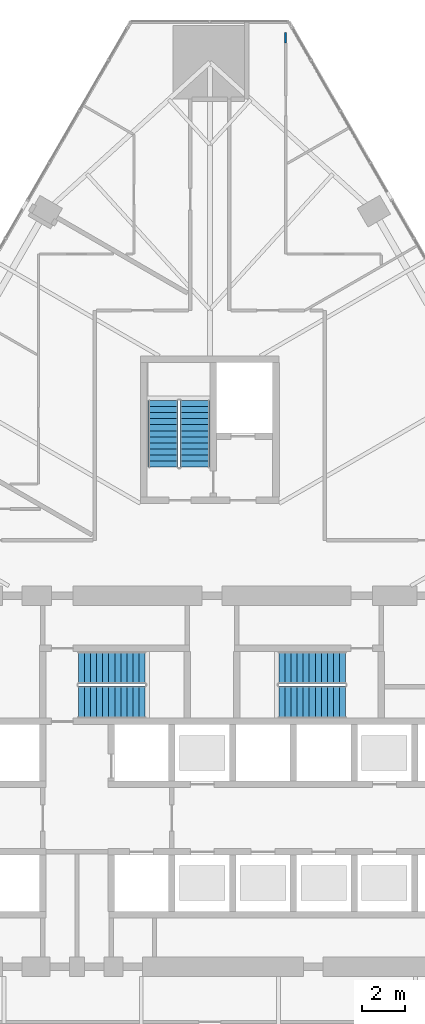
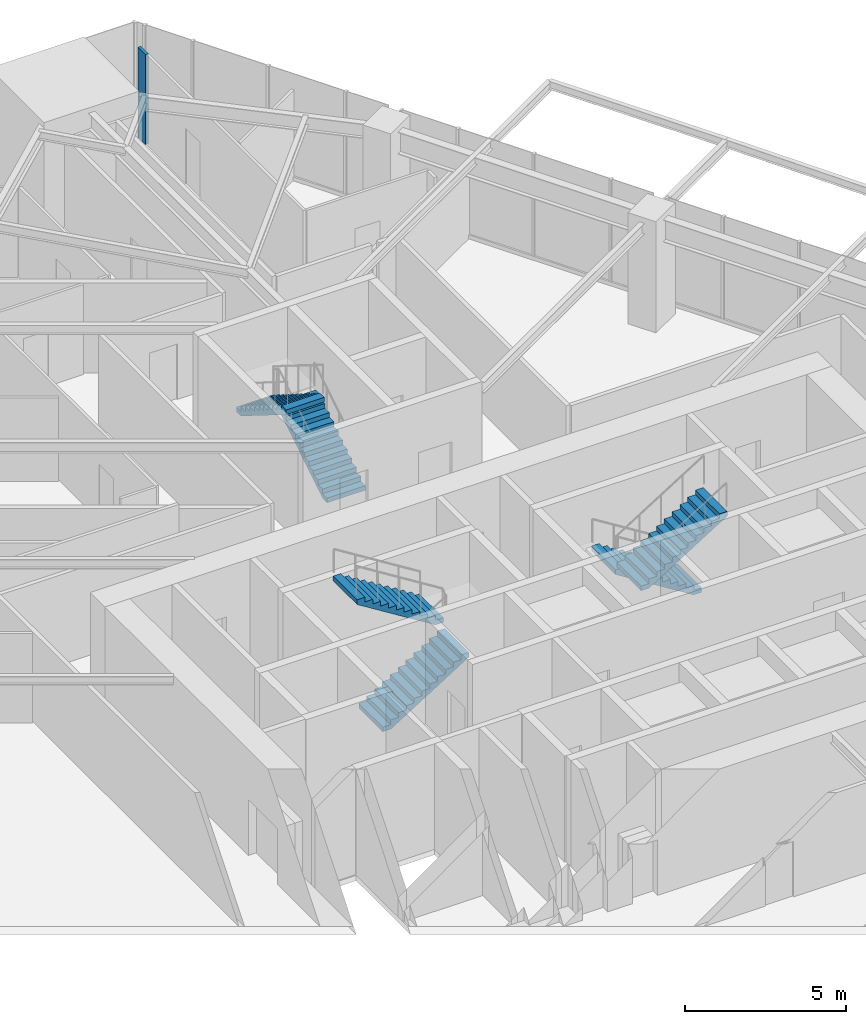
# One storey, part 24 of 26: 6 stair flights, 1 wall, 3 elements without a shape of their own.
"""IFC4 building model written with IfcOpenShell, lengths in metres."""

from ifc_helpers import new_model, si_unit, direction, frame, frame_2d, origin, place, context, subcontext, project, spatial, polyline, rectangle, outline, extrude, material, layer, layer_set, type_object, element, aggregate, save


model = new_model("IFC4")

# Units and contexts
model_context = context("Model", 3, precision=1e-05, world=origin(), true_north=direction((0.0, 1.0)))
body_context = subcontext(model_context, "Body", "Model", "MODEL_VIEW")
ifc_project = project(units=[si_unit("LENGTHUNIT", "METRE"), si_unit("AREAUNIT", "SQUARE_METRE"), si_unit("VOLUMEUNIT", "CUBIC_METRE"), si_unit("PLANEANGLEUNIT", "RADIAN"), si_unit("MASSUNIT", "GRAM", prefix="KILO")], contexts=[model_context])

# Site, building, storey
site_placement = place(None, origin())
site = spatial("IfcSite", under=ifc_project, at=site_placement, CompositionType="ELEMENT")
building_placement = place(site_placement, origin())
building = spatial("IfcBuilding", under=site, at=building_placement, Name="Firuza Gate Tower and Library", CompositionType="ELEMENT")
storey_placement = place(building_placement, frame((0.0, 0.0, 77.800048828125)))
storey = spatial("IfcBuildingStorey", under=building, at=storey_placement, Name="L17", CompositionType="ELEMENT", Elevation=77.800048828125)

# Wall
ifc_material_1 = material(Name="Gypsum board partition")
ifc_layer = layer(ifc_material_1, 0.10009765625)
ifc_layer_set = layer_set([ifc_layer], Name="Partition 100 gypsum board on steel studs")
wall_type = type_object("IfcWallType", Name="Partition 100 gypsum board on steel studs", PredefinedType="PARTITIONING", material=ifc_layer_set)
wall_placement = place(storey_placement, frame((78.48095703125, 109.03662109375, 0.0), z_axis=(0.0, 0.0, 1.0), x_axis=(0.0, 1.0, 0.0)))
element("IfcWall", 1, at=wall_placement, inside=storey, type_object=wall_type, Name="f:L17:w037", PredefinedType="PARTITIONING", context=body_context, shape_type="SweptSolid", body=[
    extrude(rectangle(XDim=0.47314453125, YDim=0.10009765625, at=frame_2d((0.236572265625, 0.0))), origin(), (0.0, 0.0, 1.0), 3.39990234375),
])

# Stair, stair flights
ifc_material_2 = material(Name="Concrete C35/45", Category="concrete")
stair_type_1 = type_object("IfcStairType", Name="Exit stair ST14", PredefinedType="HALF_TURN_STAIR", material=ifc_material_2)
placement = place(storey_placement, origin())
stair_1 = element("IfcStair", 2, at=placement, inside=storey, type_object=stair_type_1, Name="L17 Stair ST3", PredefinedType="HALF_TURN_STAIR")
ifc_material_3 = material(Name="Concrete C35/45", Category="concrete")
stair_flight_type_1 = type_object("IfcStairFlightType", Name="Stair flight 12 risers 175 width 1370", PredefinedType="STRAIGHT", material=ifc_material_3)
stair_flight_1_placement = place(storey_placement, frame((74.31494140625, 89.469970703125, 0.0), z_axis=(0.0, 0.0, 1.0), x_axis=(0.0, 1.0, 0.0)))
stair_flight_1 = element("IfcStairFlight", 3, at=stair_flight_1_placement, type_object=stair_flight_type_1, Name="ST3 flight 1", NumberOfRisers=12, NumberOfTreads=11, PredefinedType="STRAIGHT", RiserHeight=0.175, TreadLength=0.28, context=body_context, shape_type="SweptSolid", body=[
    extrude(outline(polyline([(0.0, 0.0), (0.0, 0.175048828125), (0.280029296875, 0.175048828125), (0.280029296875, 0.35009765625), (0.56005859375, 0.35009765625), (0.56005859375, 0.52490234375), (0.840087890625, 0.52490234375), (0.840087890625, 0.699951171875), (1.1201171875, 0.699951171875), (1.1201171875, 0.875), (1.39990234375, 0.875), (1.39990234375, 1.050048828125), (1.679931640625, 1.050048828125), (1.679931640625, 1.22509765625), (1.9599609375, 1.22509765625), (1.9599609375, 1.39990234375), (2.239990234375, 1.39990234375), (2.239990234375, 1.574951171875), (2.52001953125, 1.574951171875), (2.52001953125, 1.75), (2.800048828125, 1.75), (2.800048828125, 1.925048828125), (3.080078125, 1.925048828125), (3.080078125, 2.10009765625), (3.080078125, 1.748291015625), (0.28271484375, 0.0), (0.0, 0.0)])), frame((0.0, 0.68505859375, 0.0), z_axis=(0.0, -1.0, 0.0), x_axis=(1.0, 0.0, 0.0)), (0.0, 0.0, 1.0), 1.3701171875),
])
stair_flight_2_placement = place(storey_placement, frame((72.844970703125, 92.550048828125, 2.099853515625), z_axis=(0.0, 0.0, 1.0), x_axis=(0.0, -1.0, 0.0)))
stair_flight_2 = element("IfcStairFlight", 4, at=stair_flight_2_placement, type_object=stair_flight_type_1, Name="ST3 flight 2", NumberOfRisers=12, NumberOfTreads=11, PredefinedType="STRAIGHT", RiserHeight=0.175, TreadLength=0.28, context=body_context, shape_type="SweptSolid", body=[
    extrude(outline(polyline([(0.0, 0.0), (0.0, 0.175048828125), (0.280029296875, 0.175048828125), (0.280029296875, 0.35009765625), (0.56005859375, 0.35009765625), (0.56005859375, 0.52490234375), (0.840087890625, 0.52490234375), (0.840087890625, 0.699951171875), (1.1201171875, 0.699951171875), (1.1201171875, 0.875), (1.39990234375, 0.875), (1.39990234375, 1.050048828125), (1.679931640625, 1.050048828125), (1.679931640625, 1.22509765625), (1.9599609375, 1.22509765625), (1.9599609375, 1.39990234375), (2.239990234375, 1.39990234375), (2.239990234375, 1.574951171875), (2.52001953125, 1.574951171875), (2.52001953125, 1.75), (2.800048828125, 1.75), (2.800048828125, 1.925048828125), (3.080078125, 1.925048828125), (3.080078125, 2.10009765625), (3.080078125, 1.748291015625), (0.28271484375, 0.0), (0.0, 0.0)])), frame((0.0, 0.68505859375, 0.0), z_axis=(0.0, -1.0, 0.0), x_axis=(1.0, 0.0, 0.0)), (0.0, 0.0, 1.0), 1.3701171875),
])
aggregate(stair_1, [stair_flight_1, stair_flight_2])

ifc_material_4 = material(Name="Concrete C35/45", Category="concrete")
stair_type_2 = type_object("IfcStairType", Name="Exit stair ST5", PredefinedType="HALF_TURN_STAIR", material=ifc_material_4)
stair_2 = element("IfcStair", 5, at=placement, inside=storey, type_object=stair_type_2, Name="L17 Stair ST1", PredefinedType="HALF_TURN_STAIR")
ifc_material_5 = material(Name="Concrete C35/45", Category="concrete")
stair_flight_type_2 = type_object("IfcStairFlightType", Name="Stair flight 12 risers 175 width 1490", PredefinedType="STRAIGHT", material=ifc_material_5)
stair_flight_3_placement = place(storey_placement, frame((68.93994140625, 78.64501953125, 0.0), z_axis=(0.0, 0.0, 1.0), x_axis=(1.0, 0.0, 0.0)))
stair_flight_3 = element("IfcStairFlight", 6, at=stair_flight_3_placement, type_object=stair_flight_type_2, Name="ST1 flight 1", NumberOfRisers=12, NumberOfTreads=11, PredefinedType="STRAIGHT", RiserHeight=0.175, TreadLength=0.28, context=body_context, shape_type="SweptSolid", body=[
    extrude(outline(polyline([(0.0, 0.0), (0.0, 0.175048828125), (0.280029296875, 0.175048828125), (0.280029296875, 0.35009765625), (0.56005859375, 0.35009765625), (0.56005859375, 0.52490234375), (0.840087890625, 0.52490234375), (0.840087890625, 0.699951171875), (1.1201171875, 0.699951171875), (1.1201171875, 0.875), (1.39990234375, 0.875), (1.39990234375, 1.050048828125), (1.679931640625, 1.050048828125), (1.679931640625, 1.22509765625), (1.9599609375, 1.22509765625), (1.9599609375, 1.39990234375), (2.239990234375, 1.39990234375), (2.239990234375, 1.574951171875), (2.52001953125, 1.574951171875), (2.52001953125, 1.75), (2.800048828125, 1.75), (2.800048828125, 1.925048828125), (3.080078125, 1.925048828125), (3.080078125, 2.10009765625), (3.080078125, 1.748291015625), (0.28271484375, 0.0), (0.0, 0.0)])), frame((0.0, 0.7451171875, 0.0), z_axis=(0.0, -1.0, 0.0), x_axis=(1.0, 0.0, 0.0)), (0.0, 0.0, 1.0), 1.489990234375),
])
stair_flight_4_placement = place(storey_placement, frame((72.02001953125, 80.235107421875, 2.099853515625), z_axis=(0.0, 0.0, 1.0), x_axis=(-1.0, 0.0, 0.0)))
stair_flight_4 = element("IfcStairFlight", 7, at=stair_flight_4_placement, type_object=stair_flight_type_2, Name="ST1 flight 2", NumberOfRisers=12, NumberOfTreads=11, PredefinedType="STRAIGHT", RiserHeight=0.175, TreadLength=0.28, context=body_context, shape_type="SweptSolid", body=[
    extrude(outline(polyline([(0.0, 0.0), (0.0, 0.175048828125), (0.280029296875, 0.175048828125), (0.280029296875, 0.35009765625), (0.56005859375, 0.35009765625), (0.56005859375, 0.52490234375), (0.840087890625, 0.52490234375), (0.840087890625, 0.699951171875), (1.1201171875, 0.699951171875), (1.1201171875, 0.875), (1.39990234375, 0.875), (1.39990234375, 1.050048828125), (1.679931640625, 1.050048828125), (1.679931640625, 1.22509765625), (1.9599609375, 1.22509765625), (1.9599609375, 1.39990234375), (2.239990234375, 1.39990234375), (2.239990234375, 1.574951171875), (2.52001953125, 1.574951171875), (2.52001953125, 1.75), (2.800048828125, 1.75), (2.800048828125, 1.925048828125), (3.080078125, 1.925048828125), (3.080078125, 2.10009765625), (3.080078125, 1.748291015625), (0.28271484375, 0.0), (0.0, 0.0)])), frame((0.0, 0.7451171875, 0.0), z_axis=(0.0, -1.0, 0.0), x_axis=(1.0, 0.0, 0.0)), (0.0, 0.0, 1.0), 1.489990234375),
])
aggregate(stair_2, [stair_flight_3, stair_flight_4])

stair_3 = element("IfcStair", 8, at=placement, inside=storey, type_object=stair_type_2, Name="L17 Stair ST2", PredefinedType="HALF_TURN_STAIR")
stair_flight_5_placement = place(storey_placement, frame((81.260009765625, 80.235107421875, 0.0), z_axis=(0.0, 0.0, 1.0), x_axis=(-1.0, 0.0, 0.0)))
stair_flight_5 = element("IfcStairFlight", 9, at=stair_flight_5_placement, type_object=stair_flight_type_2, Name="ST2 flight 1", NumberOfRisers=12, NumberOfTreads=11, PredefinedType="STRAIGHT", RiserHeight=0.175, TreadLength=0.28, context=body_context, shape_type="SweptSolid", body=[
    extrude(outline(polyline([(0.0, 0.0), (0.0, 0.175048828125), (0.280029296875, 0.175048828125), (0.280029296875, 0.35009765625), (0.56005859375, 0.35009765625), (0.56005859375, 0.52490234375), (0.840087890625, 0.52490234375), (0.840087890625, 0.699951171875), (1.1201171875, 0.699951171875), (1.1201171875, 0.875), (1.39990234375, 0.875), (1.39990234375, 1.050048828125), (1.679931640625, 1.050048828125), (1.679931640625, 1.22509765625), (1.9599609375, 1.22509765625), (1.9599609375, 1.39990234375), (2.239990234375, 1.39990234375), (2.239990234375, 1.574951171875), (2.52001953125, 1.574951171875), (2.52001953125, 1.75), (2.800048828125, 1.75), (2.800048828125, 1.925048828125), (3.080078125, 1.925048828125), (3.080078125, 2.10009765625), (3.080078125, 1.748291015625), (0.28271484375, 0.0), (0.0, 0.0)])), frame((0.0, 0.7451171875, 0.0), z_axis=(0.0, -1.0, 0.0), x_axis=(1.0, 0.0, 0.0)), (0.0, 0.0, 1.0), 1.489990234375),
])
stair_flight_6_placement = place(storey_placement, frame((78.179931640625, 78.64501953125, 2.099853515625), z_axis=(0.0, 0.0, 1.0), x_axis=(1.0, 0.0, 0.0)))
stair_flight_6 = element("IfcStairFlight", 10, at=stair_flight_6_placement, type_object=stair_flight_type_2, Name="ST2 flight 2", NumberOfRisers=12, NumberOfTreads=11, PredefinedType="STRAIGHT", RiserHeight=0.175, TreadLength=0.28, context=body_context, shape_type="SweptSolid", body=[
    extrude(outline(polyline([(0.0, 0.0), (0.0, 0.175048828125), (0.280029296875, 0.175048828125), (0.280029296875, 0.35009765625), (0.56005859375, 0.35009765625), (0.56005859375, 0.52490234375), (0.840087890625, 0.52490234375), (0.840087890625, 0.699951171875), (1.1201171875, 0.699951171875), (1.1201171875, 0.875), (1.39990234375, 0.875), (1.39990234375, 1.050048828125), (1.679931640625, 1.050048828125), (1.679931640625, 1.22509765625), (1.9599609375, 1.22509765625), (1.9599609375, 1.39990234375), (2.239990234375, 1.39990234375), (2.239990234375, 1.574951171875), (2.52001953125, 1.574951171875), (2.52001953125, 1.75), (2.800048828125, 1.75), (2.800048828125, 1.925048828125), (3.080078125, 1.925048828125), (3.080078125, 2.10009765625), (3.080078125, 1.748291015625), (0.28271484375, 0.0), (0.0, 0.0)])), frame((0.0, 0.7451171875, 0.0), z_axis=(0.0, -1.0, 0.0), x_axis=(1.0, 0.0, 0.0)), (0.0, 0.0, 1.0), 1.489990234375),
])
aggregate(stair_3, [stair_flight_5, stair_flight_6])

save(model, "model.ifc")
